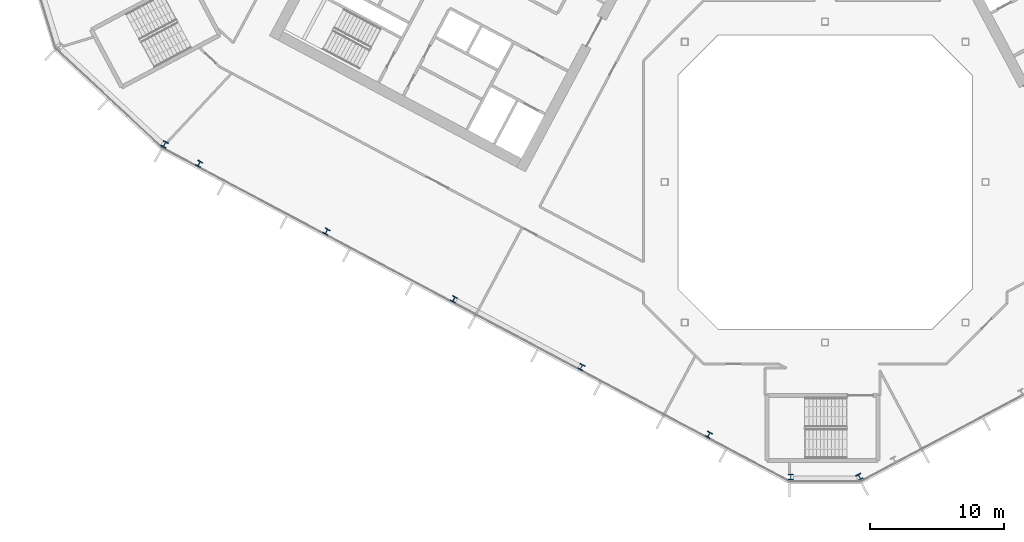
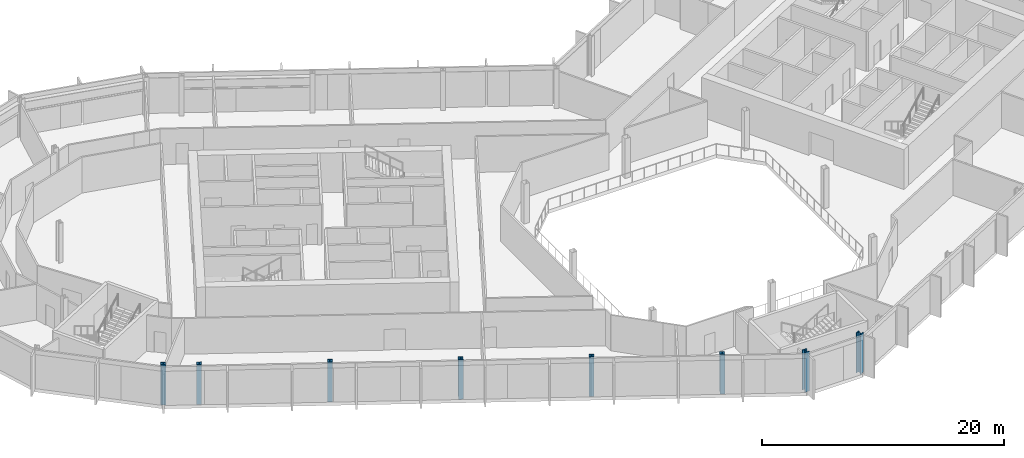
# One storey, part 1 of 28: 8 columns.
"""IFC4 building model written with IfcOpenShell, lengths in metres."""

from ifc_helpers import new_model, si_unit, direction, frame, origin, origin_2d, place, context, subcontext, project, spatial, i_section, extrude, material, material_profile, profile_set, type_object, element, save


model = new_model("IFC4")

# Units and contexts
model_context = context("Model", 3, precision=1e-05, world=origin(), true_north=direction((0.0, 1.0)))
body_context = subcontext(model_context, "Body", "Model", "MODEL_VIEW")
ifc_project = project(units=[si_unit("LENGTHUNIT", "METRE"), si_unit("AREAUNIT", "SQUARE_METRE"), si_unit("VOLUMEUNIT", "CUBIC_METRE"), si_unit("PLANEANGLEUNIT", "RADIAN"), si_unit("MASSUNIT", "GRAM", prefix="KILO")], contexts=[model_context])

# Site, building, storey
site_placement = place(None, origin())
site = spatial("IfcSite", under=ifc_project, at=site_placement, CompositionType="ELEMENT")
building_placement = place(site_placement, origin())
building = spatial("IfcBuilding", under=site, at=building_placement, Name="Cormorant Relay Tower", CompositionType="ELEMENT")
storey_placement = place(building_placement, frame((0.0, 0.0, 174.199951171875)))
storey = spatial("IfcBuildingStorey", under=building, at=storey_placement, Name="L37", CompositionType="ELEMENT", Elevation=174.199951171875)

# Columns
ifc_material_1 = material(Name="Steel ASTM A992 (Fy 345 MPa)", Category="steel")
ifc_material_profile_1 = material_profile(ifc_material_1, i_section(OverallWidth=0.41162109375, OverallDepth=0.434326171875, WebThickness=0.035888671875, FlangeThickness=0.057373046875, FilletRadius=0.01513671875, at=origin_2d()), Name="W360x463")
ifc_profile_set_1 = profile_set([ifc_material_profile_1], Name="Steel ASTM A992 (Fy 345 MPa)")
column_type_1 = type_object("IfcColumnType", Name="Column W360x463", PredefinedType="COLUMN", material=ifc_profile_set_1)
for number, where, z_axis, x_axis, name in (
    (1, (-8.696044921875, -18.910888671875, 0.0), (0.0, 0.0, 1.0), (0.882947592859, -0.469471562786, 0.0), "Column L37-004"),
    (2, (-18.23193359375, -13.841064453125, 0.0), (0.0, 0.0, 1.0), (0.882947592859, -0.469471562786, 0.0), "Column L37-006"),
    (3, (-27.76806640625, -8.77001953125, 0.0), (0.0, 0.0, 1.0), (0.882947592859, -0.469471562786, 0.0), "Column L37-011"),
    (4, (-37.303955078125, -3.699951171875, 0.0), (0.0, 0.0, 1.0), (0.882947592859, -0.469471562786, 0.0), "Column L37-013"),
    (5, (-46.839111328125, 1.3701171875, 0.0), (0.0, 0.0, 1.0), (0.882947592859, -0.469471562786, 0.0), "Column L37-018"),
):
    element("IfcColumn", number, at=place(storey_placement, frame(where, z_axis=z_axis, x_axis=x_axis)), inside=storey, type_object=column_type_1, Name=name, PredefinedType="COLUMN", context=body_context, shape_type="SweptSolid", body=[
        extrude(i_section(OverallWidth=0.41162109375, OverallDepth=0.434326171875, WebThickness=0.035888671875, FlangeThickness=0.057373046875, FilletRadius=0.01513671875, at=origin_2d()), origin(), (0.0, 0.0, 1.0), 4.0),
    ])
ifc_material_2 = material(Name="Steel ASTM A992 (Fy 345 MPa)", Category="steel")
ifc_material_profile_2 = material_profile(ifc_material_2, i_section(OverallWidth=0.42431640625, OverallDepth=0.47509765625, WebThickness=0.0478515625, FlangeThickness=0.0771484375, FilletRadius=0.014892578125, at=origin_2d()), Name="W360x634")
ifc_profile_set_2 = profile_set([ifc_material_profile_2], Name="Steel ASTM A992 (Fy 345 MPa)")
column_type_2 = type_object("IfcColumnType", Name="Column W360x634", PredefinedType="COLUMN", material=ifc_profile_set_2)
for number, where, z_axis, x_axis, name in (
    (6, (-2.571044921875, -22.06494140625, 0.0), (0.0, 0.0, 1.0), (1.0, 0.0, 0.0), "Column L37-001"),
    (7, (2.571044921875, -22.06494140625, 0.0), (0.0, 0.0, 1.0), (0.882947592859, 0.469471562786, 0.0), "Column L37-002"),
    (8, (-49.423095703125, 2.820068359375, 0.0), (0.0, 0.0, 1.0), (0.882947592859, -0.469471562786, 0.0), "Column L37-019"),
):
    element("IfcColumn", number, at=place(storey_placement, frame(where, z_axis=z_axis, x_axis=x_axis)), inside=storey, type_object=column_type_2, Name=name, PredefinedType="COLUMN", context=body_context, shape_type="SweptSolid", body=[
        extrude(i_section(OverallWidth=0.42431640625, OverallDepth=0.47509765625, WebThickness=0.0478515625, FlangeThickness=0.0771484375, FilletRadius=0.014892578125, at=origin_2d()), origin(), (0.0, 0.0, 1.0), 4.0),
    ])

save(model, "model.ifc")
